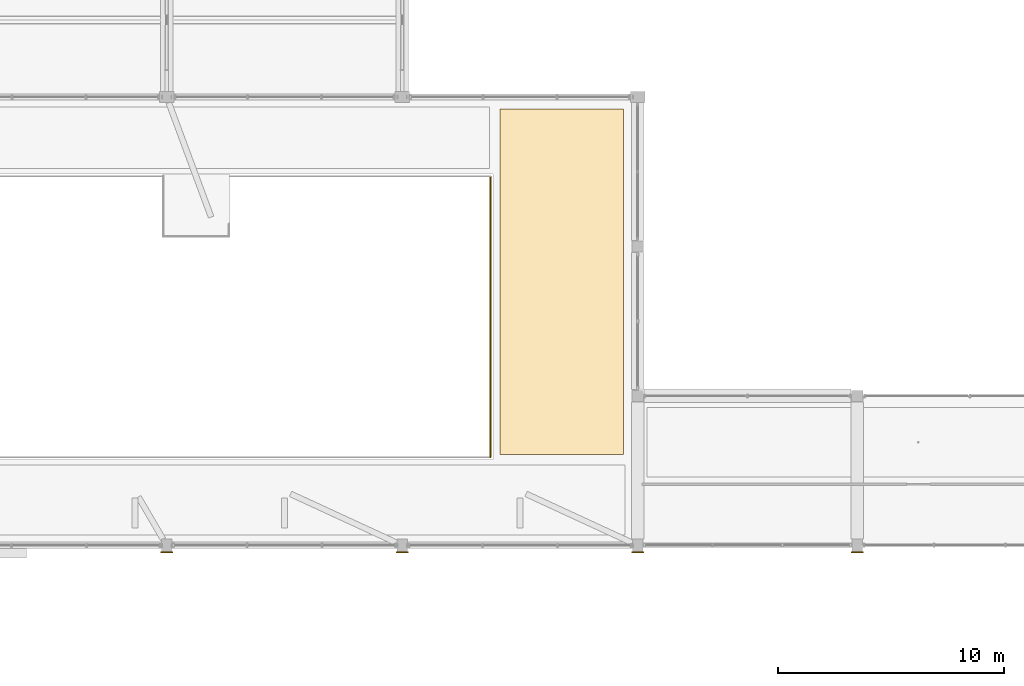
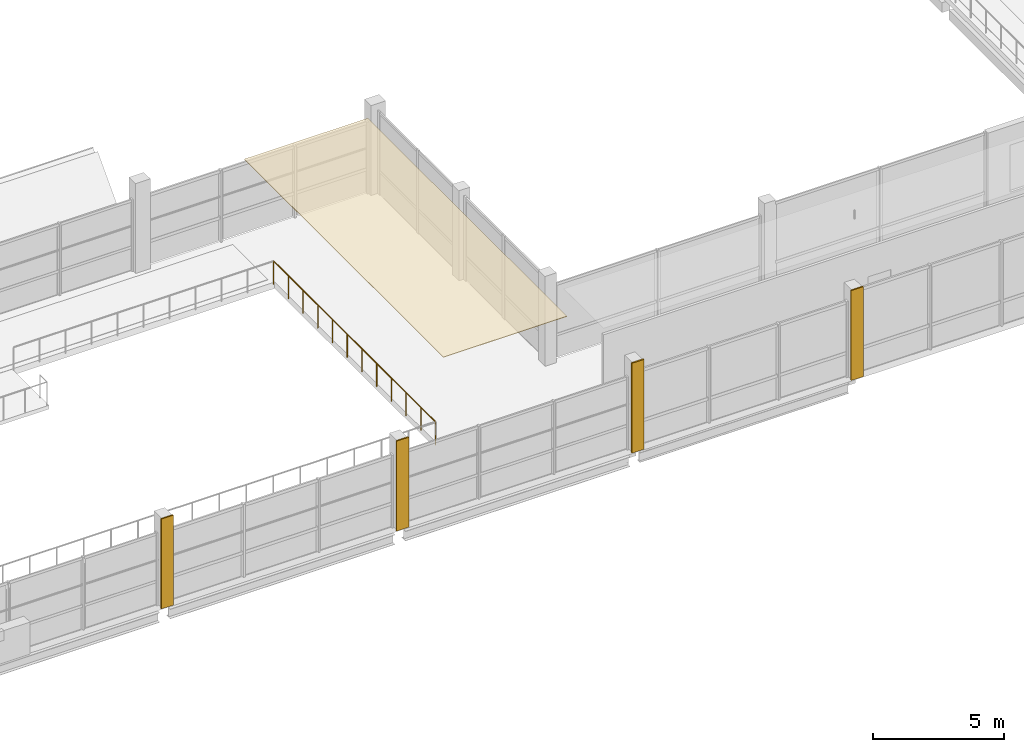
# One storey, part 80 of 85: 5 coverings, 1 railing.
"""IFC4 building model written with IfcOpenShell, lengths in metres."""

from ifc_helpers import new_model, si_unit, derived_unit, direction, frame, origin, origin_2d, place, context, subcontext, project, spatial, polyline, rectangle, circle, outline, extrude, material, layer, layer_set, type_object, element, save


model = new_model("IFC4")

# Units and contexts
model_context = context("Model", 3, precision=1e-05, world=origin(), true_north=direction((0.0, 1.0)))
body_context = subcontext(model_context, "Body", "Model", "MODEL_VIEW")
ifc_project = project(units=[si_unit("LENGTHUNIT", "METRE"), si_unit("AREAUNIT", "SQUARE_METRE"), si_unit("VOLUMEUNIT", "CUBIC_METRE"), si_unit("PLANEANGLEUNIT", "RADIAN"), si_unit("MASSUNIT", "GRAM", prefix="KILO"), derived_unit("THERMALTRANSMITTANCEUNIT", [(si_unit("POWERUNIT", "WATT"), 1), (si_unit("LENGTHUNIT", "METRE"), -2), (si_unit("THERMODYNAMICTEMPERATUREUNIT", "KELVIN"), -1)])], contexts=[model_context])

# Site, building, storey
site_placement = place(None, origin())
site = spatial("IfcSite", under=ifc_project, at=site_placement, CompositionType="ELEMENT")
building_placement = place(site_placement, origin())
building = spatial("IfcBuilding", under=site, at=building_placement, Name="Braskholm Square Health Centre", CompositionType="ELEMENT")
storey_placement = place(building_placement, frame((0.0, 0.0, 9.300048828125)))
storey = spatial("IfcBuildingStorey", under=building, at=storey_placement, Name="L03", CompositionType="ELEMENT", Elevation=9.300048828125)

# Covering
ifc_material_1 = material(Name="Fire-rated gypsum board barrier")
ifc_layer_1 = layer(ifc_material_1, 0.02490234375)
ifc_layer_set_1 = layer_set([ifc_layer_1], Name="Fire-rated gypsum board barrier")
covering_type_1 = type_object("IfcCoveringType", Name="AcousticClinicalCeilingTile", PredefinedType="CEILING", material=ifc_layer_set_1)
covering_placement = place(storey_placement, frame((0.0, 0.0, 3.864990234375)))
element("IfcCovering", 1, at=covering_placement, inside=storey, type_object=covering_type_1, Name="Acoustic ceiling L03-305", PredefinedType="CEILING", context=body_context, shape_type="SweptSolid", body=[
    extrude(outline(polyline([(114.320068359375, 91.219970703125), (119.780029296875, 91.219970703125), (119.780029296875, 106.47998046875), (114.320068359375, 106.47998046875), (114.320068359375, 91.219970703125)])), origin(), (0.0, 0.0, 1.0), 0.02490234375),
])

# Railing
ifc_material_2 = material(Name="Dark patinated chevron architectural bronze", Category="aluminium")
railing_type = type_object("IfcRailingType", Name="BronzeChevronGuardrail1100", PredefinedType="GUARDRAIL", material=ifc_material_2)
railing_placement = place(storey_placement, frame((113.89990234375, 103.5, 0.0)))
element("IfcRailing", 2, at=railing_placement, inside=storey, type_object=railing_type, Name="Bronze chevron guardrail 0064 L03", PredefinedType="GUARDRAIL", context=body_context, shape_type="SweptSolid", body=[
    extrude(circle(Radius=0.02392578125, at=origin_2d()), frame((0.0, 0.0, 1.076171875), z_axis=(0.0, -1.0, 0.0), x_axis=(1.0, 0.0, 0.0)), (0.0, 0.0, 1.0), 12.39990234375),
    extrude(circle(Radius=0.02099609375, at=origin_2d()), origin(), (0.0, 0.0, 1.0), 1.052001953125),
    extrude(circle(Radius=0.02099609375, at=origin_2d()), frame((0.0, -1.127197265625, 0.0)), (0.0, 0.0, 1.0), 1.052001953125),
    extrude(circle(Radius=0.02099609375, at=origin_2d()), frame((0.0, -2.254638671875, 0.0)), (0.0, 0.0, 1.0), 1.052001953125),
    extrude(circle(Radius=0.02099609375, at=origin_2d()), frame((0.0, -3.3818359375, 0.0)), (0.0, 0.0, 1.0), 1.052001953125),
    extrude(circle(Radius=0.02099609375, at=origin_2d()), frame((0.0, -4.509033203125, 0.0)), (0.0, 0.0, 1.0), 1.052001953125),
    extrude(circle(Radius=0.02099609375, at=origin_2d()), frame((0.0, -5.63623046875, 0.0)), (0.0, 0.0, 1.0), 1.052001953125),
    extrude(circle(Radius=0.02099609375, at=origin_2d()), frame((0.0, -6.763671875, 0.0)), (0.0, 0.0, 1.0), 1.052001953125),
    extrude(circle(Radius=0.02099609375, at=origin_2d()), frame((0.0, -7.890869140625, 0.0)), (0.0, 0.0, 1.0), 1.052001953125),
    extrude(circle(Radius=0.02099609375, at=origin_2d()), frame((0.0, -9.01806640625, 0.0)), (0.0, 0.0, 1.0), 1.052001953125),
    extrude(circle(Radius=0.02099609375, at=origin_2d()), frame((0.0, -10.145263671875, 0.0)), (0.0, 0.0, 1.0), 1.052001953125),
    extrude(circle(Radius=0.02099609375, at=origin_2d()), frame((0.0, -11.272705078125, 0.0)), (0.0, 0.0, 1.0), 1.052001953125),
    extrude(circle(Radius=0.02099609375, at=origin_2d()), frame((0.0, -12.39990234375, 0.0)), (0.0, 0.0, 1.0), 1.052001953125),
])

# Coverings
ifc_material_3 = material(Name="Precast concrete C40/50 architectural white", Category="concrete")
ifc_layer_2 = layer(ifc_material_3, 0.054931640625)
ifc_layer_set_2 = layer_set([ifc_layer_2], Name="Precast concrete C40/50 architectural white")
covering_type_2 = type_object("IfcCoveringType", Name="PrecastWhiteColumnCasing", PredefinedType="CLADDING", material=ifc_layer_set_2)
for number, where, z_axis, x_axis, name in (
    (3, (99.60009765625, 86.89501953125, 0.0), (0.0, 0.0, 1.0), (1.0, 0.0, 0.0), "Giant-order white precast column casing 0208"),
    (4, (110.0, 86.89501953125, 0.0), (0.0, 0.0, 1.0), (1.0, 0.0, 0.0), "Giant-order white precast column casing 0211"),
    (5, (120.39990234375, 86.89501953125, 0.0), (0.0, 0.0, 1.0), (1.0, 0.0, 0.0), "Giant-order white precast column casing 0214"),
    (6, (130.10009765625, 86.89501953125, 0.0), (0.0, 0.0, 1.0), (1.0, 0.0, 0.0), "Giant-order white precast column casing 0217"),
):
    element("IfcCovering", number, at=place(storey_placement, frame(where, z_axis=z_axis, x_axis=x_axis)), inside=storey, type_object=covering_type_2, Name=name, PredefinedType="CLADDING", context=body_context, shape_type="SweptSolid", body=[
        extrude(rectangle(XDim=0.5400390625, YDim=0.06005859375, at=origin_2d()), origin(), (0.0, 0.0, 1.0), 4.199951171875),
    ])

save(model, "model.ifc")
